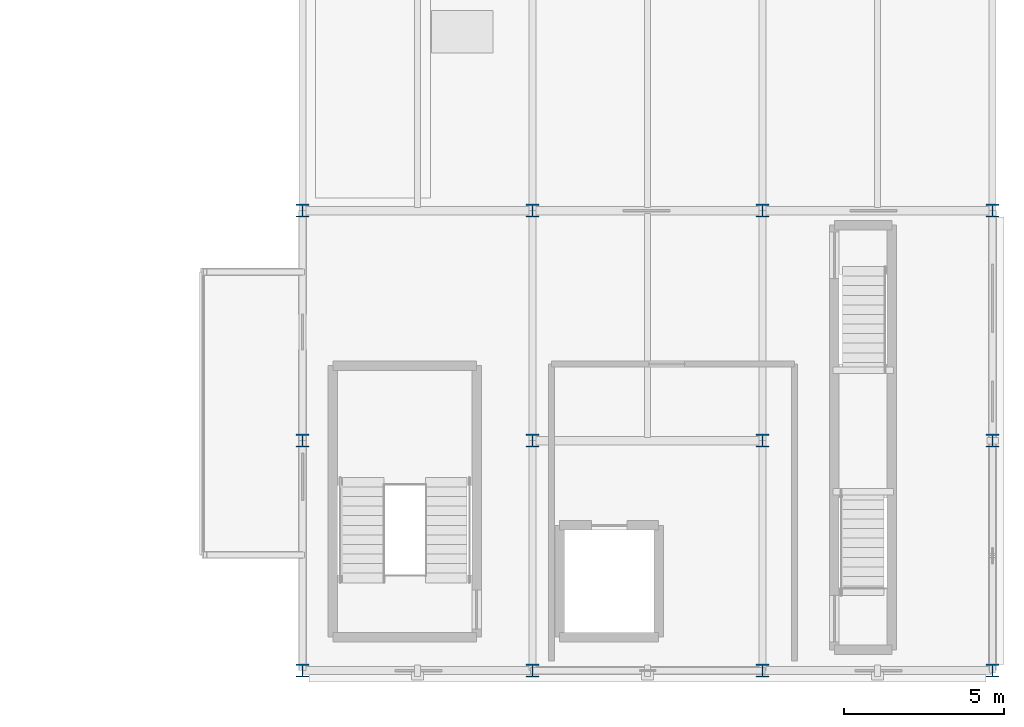
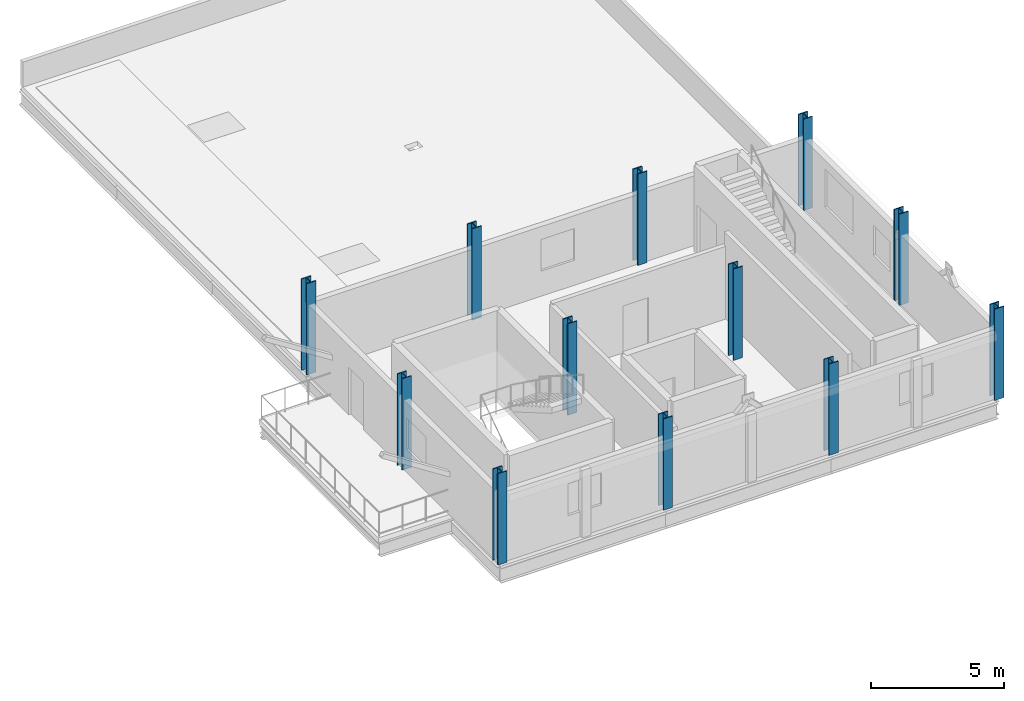
# One storey, part 8 of 144: 12 columns.
"""IFC4 building model written with IfcOpenShell, lengths in metres."""

from ifc_helpers import new_model, si_unit, direction, frame, origin, origin_2d, place, context, subcontext, project, spatial, i_section, extrude, material, material_profile, profile_set, type_object, element, save


model = new_model("IFC4")

# Units and contexts
model_context = context("Model", 3, precision=1e-05, world=origin(), true_north=direction((0.0, 1.0)))
body_context = subcontext(model_context, "Body", "Model", "MODEL_VIEW")
ifc_project = project(units=[si_unit("LENGTHUNIT", "METRE"), si_unit("AREAUNIT", "SQUARE_METRE"), si_unit("VOLUMEUNIT", "CUBIC_METRE"), si_unit("PLANEANGLEUNIT", "RADIAN"), si_unit("MASSUNIT", "GRAM", prefix="KILO")], contexts=[model_context])

# Site, building, storey
site_placement = place(None, origin())
site = spatial("IfcSite", under=ifc_project, at=site_placement, CompositionType="ELEMENT")
building_placement = place(site_placement, origin())
building = spatial("IfcBuilding", under=site, at=building_placement, Name="Yarey Park Central Fire Station", CompositionType="ELEMENT")
storey_placement = place(building_placement, frame((0.0, 0.0, 10.199951171875)))
storey = spatial("IfcBuildingStorey", under=building, at=storey_placement, Name="L03", CompositionType="ELEMENT", Elevation=10.199951171875)

# Columns
ifc_material = material(Name="Steel ASTM A992 Gr. 50", Category="steel")
ifc_material_profile_1 = material_profile(ifc_material, i_section(OverallWidth=0.404052734375, OverallDepth=0.406982421875, WebThickness=0.027099609375, FlangeThickness=0.043701171875, at=origin_2d()), Name="W360x347")
ifc_profile_set_1 = profile_set([ifc_material_profile_1], Name="Steel ASTM A992 Gr. 50")
column_type_1 = type_object("IfcColumnType", Name="STR_COL_W360_EXT", PredefinedType="COLUMN", material=ifc_profile_set_1)
for number, where, z_axis, x_axis, name in (
    (1, (144.0, 0.0, 0.0), (0.0, 0.0, 1.0), (1.0, 0.0, 0.0), "COL_L03_X1440_Y0"),
    (2, (144.0, 7.199951171875, 0.0), (0.0, 0.0, 1.0), (1.0, 0.0, 0.0), "COL_L03_X1440_Y72"),
    (3, (144.0, 14.39990234375, 0.0), (0.0, 0.0, 1.0), (1.0, 0.0, 0.0), "COL_L03_X1440_Y144"),
    (4, (151.199951171875, 0.0, 0.0), (0.0, 0.0, 1.0), (1.0, 0.0, 0.0), "COL_L03_X1512_Y0"),
    (5, (151.199951171875, 14.39990234375, 0.0), (0.0, 0.0, 1.0), (1.0, 0.0, 0.0), "COL_L03_X1512_Y144"),
    (6, (158.39990234375, 0.0, 0.0), (0.0, 0.0, 1.0), (1.0, 0.0, 0.0), "COL_L03_X1584_Y0"),
    (7, (158.39990234375, 14.39990234375, 0.0), (0.0, 0.0, 1.0), (1.0, 0.0, 0.0), "COL_L03_X1584_Y144"),
    (8, (165.60009765625, 0.0, 0.0), (0.0, 0.0, 1.0), (1.0, 0.0, 0.0), "COL_L03_X1656_Y0"),
    (9, (165.60009765625, 7.199951171875, 0.0), (0.0, 0.0, 1.0), (1.0, 0.0, 0.0), "COL_L03_X1656_Y72"),
    (10, (165.60009765625, 14.39990234375, 0.0), (0.0, 0.0, 1.0), (1.0, 0.0, 0.0), "COL_L03_X1656_Y144"),
):
    element("IfcColumn", number, at=place(storey_placement, frame(where, z_axis=z_axis, x_axis=x_axis)), inside=storey, type_object=column_type_1, Name=name, PredefinedType="COLUMN", context=body_context, shape_type="SweptSolid", body=[
        extrude(i_section(OverallWidth=0.404052734375, OverallDepth=0.406982421875, WebThickness=0.027099609375, FlangeThickness=0.043701171875, at=origin_2d()), origin(), (0.0, 0.0, 1.0), 4.199951171875),
    ])
ifc_material_profile_2 = material_profile(ifc_material, i_section(OverallWidth=0.404052734375, OverallDepth=0.406982421875, WebThickness=0.027099609375, FlangeThickness=0.043701171875, at=origin_2d()), Name="W360x347")
ifc_profile_set_2 = profile_set([ifc_material_profile_2], Name="Steel ASTM A992 Gr. 50")
column_type_2 = type_object("IfcColumnType", Name="STR_COL_W360_INT", PredefinedType="COLUMN", material=ifc_profile_set_2)
for number, where, z_axis, x_axis, name in (
    (11, (151.199951171875, 7.199951171875, 0.0), (0.0, 0.0, 1.0), (1.0, 0.0, 0.0), "COL_L03_X1512_Y72"),
    (12, (158.39990234375, 7.199951171875, 0.0), (0.0, 0.0, 1.0), (1.0, 0.0, 0.0), "COL_L03_X1584_Y72"),
):
    element("IfcColumn", number, at=place(storey_placement, frame(where, z_axis=z_axis, x_axis=x_axis)), inside=storey, type_object=column_type_2, Name=name, PredefinedType="COLUMN", context=body_context, shape_type="SweptSolid", body=[
        extrude(i_section(OverallWidth=0.404052734375, OverallDepth=0.406982421875, WebThickness=0.027099609375, FlangeThickness=0.043701171875, at=origin_2d()), origin(), (0.0, 0.0, 1.0), 4.199951171875),
    ])

save(model, "model.ifc")
